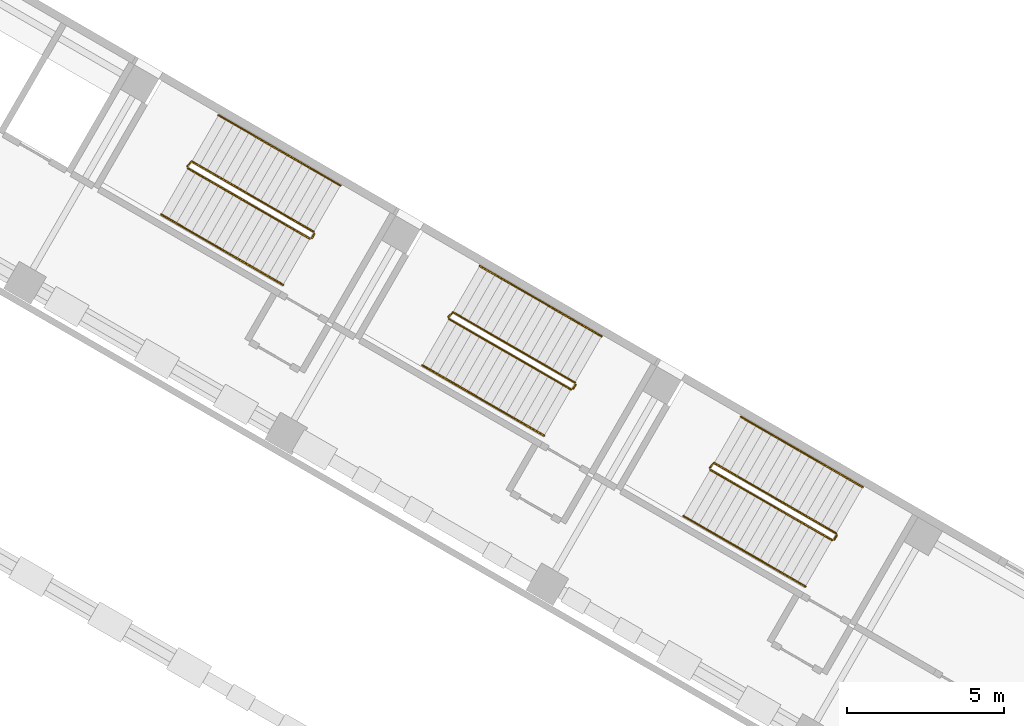
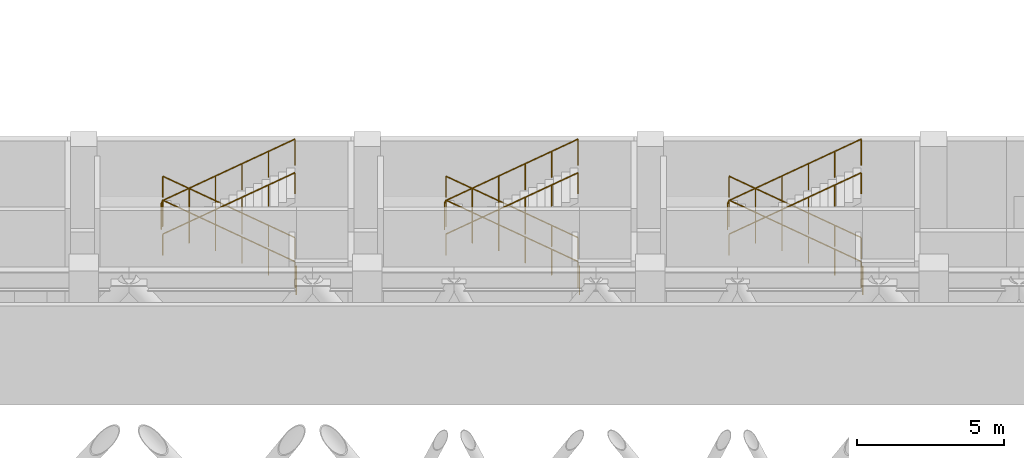
# One storey, part 35 of 37: 15 railings.
"""IFC4 building model written with IfcOpenShell, lengths in metres."""

import ifcopenshell
import ifcopenshell.guid

model = None  # the IFC model being written
_history = None  # IfcOwnerHistory: only IFC2X3 demands one
_inside = {}  # id of a spatial element -> (the spatial element, [elements in it])
_under = {}  # id of a project, library or spatial element -> (it, [spatial elements below it])
_declared = {}  # id of a project -> (the project, [libraries it declares])
_typed = {}  # id of a type object -> (the type object, [elements of that type])
_made_of = {}  # id of a material, layer set ... -> (it, [elements and type objects made of it])


def new_model(schema):
    """Start an empty IFC model of exactly this schema.

    Asked for "IFC4X3", IfcOpenShell would pick the latest addendum, in which some entities
    have other attributes; the version numbers below select the first issue.
    IFC2X3 requires an IfcOwnerHistory on every rooted entity: one is made here for all.
    """
    global model, _history
    if schema == "IFC4X3":
        model = ifcopenshell.file(schema_version=(4, 3, 0, 0))
    else:
        model = ifcopenshell.file(schema=schema)
    _inside.clear()
    _under.clear()
    _declared.clear()
    _typed.clear()
    _made_of.clear()
    _history = None
    if model.schema == "IFC2X3":
        org = make("IfcOrganization", Name="unknown")
        user = make(
            "IfcPersonAndOrganization",
            ThePerson=make("IfcPerson", FamilyName="unknown"),
            TheOrganization=org,
        )
        app = make(
            "IfcApplication",
            ApplicationDeveloper=org,
            Version="unknown",
            ApplicationFullName="unknown",
            ApplicationIdentifier="unknown",
        )
        _history = make(
            "IfcOwnerHistory",
            OwningUser=user,
            OwningApplication=app,
            ChangeAction="ADDED",
            CreationDate=0,
        )
    return model


def make(cls, **values):
    """One entity of the class cls with the attributes given. An attribute that is None is left unset."""
    return model.create_entity(
        cls, **{name: value for name, value in values.items() if value is not None}
    )


def rooted(cls, **values):
    """An entity with a GlobalId (a new one), such as an element, a storey or a relation."""
    return make(cls, GlobalId=ifcopenshell.guid.new(), OwnerHistory=_history, **values)


def si_unit(unit_type, name, prefix=None):
    """IfcSIUnit, for example si_unit("LENGTHUNIT", "METRE", prefix="MILLI")."""
    return make("IfcSIUnit", UnitType=unit_type, Prefix=prefix, Name=name)


def assignment(units):
    """IfcUnitAssignment: the units of a project."""
    return None if units is None else make("IfcUnitAssignment", Units=units)


def point(xyz):
    """IfcCartesianPoint."""
    return None if xyz is None else make("IfcCartesianPoint", Coordinates=xyz)


def direction(xyz):
    """IfcDirection."""
    return None if xyz is None else make("IfcDirection", DirectionRatios=xyz)


def frame(location, z_axis=None, x_axis=None):
    """IfcAxis2Placement3D, a coordinate frame: its origin and axes. An axis left out is left unset."""
    return make(
        "IfcAxis2Placement3D",
        Location=point(location),
        Axis=direction(z_axis),
        RefDirection=direction(x_axis),
    )


def frame_2d(location, x_axis=None):
    """IfcAxis2Placement2D, a coordinate frame in the plane: its origin and x axis."""
    return make(
        "IfcAxis2Placement2D", Location=point(location), RefDirection=direction(x_axis)
    )


def origin():
    """The frame at (0, 0, 0) with its axes left unset."""
    return frame((0.0, 0.0, 0.0))


def origin_2d():
    """The frame at (0, 0) in the plane with its x axis left unset."""
    return frame_2d((0.0, 0.0))


def place(relative_to, where):
    """IfcLocalPlacement: puts the frame where relative to a parent placement (None: the world)."""
    return make(
        "IfcLocalPlacement", PlacementRelTo=relative_to, RelativePlacement=where
    )


def context(
    kind, dimensions, precision=None, world=None, true_north=None, identifier=None
):
    """IfcGeometricRepresentationContext, for example the 3D "Model" context."""
    return make(
        "IfcGeometricRepresentationContext",
        ContextIdentifier=identifier,
        ContextType=kind,
        CoordinateSpaceDimension=dimensions,
        Precision=precision,
        WorldCoordinateSystem=world,
        TrueNorth=true_north,
    )


def subcontext(parent, identifier, kind, view, scale=None):
    """IfcGeometricRepresentationSubContext, for example "Body" below "Model"."""
    return make(
        "IfcGeometricRepresentationSubContext",
        ContextIdentifier=identifier,
        ContextType=kind,
        ParentContext=parent,
        TargetScale=scale,
        TargetView=view,
    )


def project(units=None, contexts=None):
    """IfcProject with its units and contexts."""
    return rooted(
        "IfcProject",
        Name="project",
        RepresentationContexts=contexts,
        UnitsInContext=assignment(units),
    )


def spatial(cls, under=None, at=None, **own):
    """A site, building, storey or space (cls), placed at a placement, below another one or the project."""
    s = rooted(cls, ObjectPlacement=at, **own)
    if under is not None:
        _under.setdefault(under.id(), (under, []))[1].append(s)
    return s


def profile(cls, at=None, kind="AREA", **sizes):
    """A parametric profile (cls). Its sizes go by their IFC names, for example OverallWidth=200.0."""
    return make(cls, ProfileType=kind, Position=at, **sizes)


def circle(**sizes):
    """IfcCircleProfileDef."""
    return profile("IfcCircleProfileDef", **sizes)


def extrude(swept, where, along, depth):
    """IfcExtrudedAreaSolid: the profile swept, set in the frame where, extruded along a direction by depth."""
    return make(
        "IfcExtrudedAreaSolid",
        SweptArea=swept,
        Position=where,
        ExtrudedDirection=direction(along),
        Depth=depth,
    )


def shape(context_of_items, identifier, shape_type, items):
    """IfcShapeRepresentation: the items that make up one representation, for example the "Body"."""
    return make(
        "IfcShapeRepresentation",
        ContextOfItems=context_of_items,
        RepresentationIdentifier=identifier,
        RepresentationType=shape_type,
        Items=items,
    )


def material(Name=None, Category=None):
    """IfcMaterial."""
    return make("IfcMaterial", Name=Name, Category=Category)


def made_of(thing, what):
    """Note that an element or type object is made of a material, layer set ...; save() writes the relation."""
    if what is not None:
        _made_of.setdefault(what.id(), (what, []))[1].append(thing)
    return thing


def type_object(cls, material=None, **own):
    """A type object (cls), such as IfcWallType, which elements share."""
    return made_of(rooted(cls, **own), material)


def element(
    cls,
    number,
    at=None,
    inside=None,
    cuts=None,
    type_object=None,
    material=None,
    context=None,
    identifier="Body",
    shape_type=None,
    held_by="IfcProductDefinitionShape",
    body=None,
    shapes=None,
    **own,
):
    """One element of the class cls, such as IfcWall. Its Tag is "e" and its number.

    at: its placement. inside: the storey or other place that contains it. cuts: it is an
    opening in that element (IfcRelVoidsElement). A single representation is given by context,
    identifier, shape_type and body (its items); several are given by shapes. held_by: the class
    of the entity that holds the representations. save() writes the other relations.
    """
    e = rooted(cls, Tag="e%d" % number, ObjectPlacement=at, **own)
    if body is not None:
        shapes = [shape(context, identifier, shape_type, body)]
    if shapes is not None:
        e.Representation = make(held_by, Representations=shapes)
    if inside is not None:
        _inside.setdefault(inside.id(), (inside, []))[1].append(e)
    if cuts is not None:
        rooted(
            "IfcRelVoidsElement", RelatingBuildingElement=cuts, RelatedOpeningElement=e
        )
    if type_object is not None:
        _typed.setdefault(type_object.id(), (type_object, []))[1].append(e)
    return made_of(e, material)


def aggregate(whole, parts):
    """IfcRelAggregates: a whole, such as a stair, and the parts it consists of."""
    return rooted("IfcRelAggregates", RelatingObject=whole, RelatedObjects=parts)


def save(model, path):
    """Write the relations noted so far, then the file.

    IfcRelAggregates (storeys below a building ...), IfcRelContainedInSpatialStructure (elements
    in a storey), IfcRelDefinesByType, IfcRelAssociatesMaterial and IfcRelDeclares: one each for
    every whole, place, type object, material and project.
    """
    for whole, parts in _under.values():
        aggregate(whole, parts)
    for where, things in _inside.values():
        rooted(
            "IfcRelContainedInSpatialStructure",
            RelatedElements=things,
            RelatingStructure=where,
        )
    for kind, things in _typed.values():
        rooted("IfcRelDefinesByType", RelatedObjects=things, RelatingType=kind)
    for what, things in _made_of.values():
        rooted("IfcRelAssociatesMaterial", RelatedObjects=things, RelatingMaterial=what)
    for by, libraries in _declared.values():
        rooted("IfcRelDeclares", RelatingContext=by, RelatedDefinitions=libraries)
    model.write(path)


model = new_model("IFC4")

# Units and contexts
model_context = context("Model", 3, precision=1e-05, world=origin(), true_north=direction((0.0, 1.0)))
body_context = subcontext(model_context, "Body", "Model", "MODEL_VIEW")
ifc_project = project(units=[si_unit("LENGTHUNIT", "METRE"), si_unit("AREAUNIT", "SQUARE_METRE"), si_unit("VOLUMEUNIT", "CUBIC_METRE"), si_unit("PLANEANGLEUNIT", "RADIAN"), si_unit("MASSUNIT", "GRAM", prefix="KILO")], contexts=[model_context])

# Site, building, storey
site_placement = place(None, origin())
site = spatial("IfcSite", under=ifc_project, at=site_placement, CompositionType="ELEMENT")
building_placement = place(site_placement, origin())
building = spatial("IfcBuilding", under=site, at=building_placement, Name="Mestral Congress Tower", CompositionType="ELEMENT")
storey_placement = place(building_placement, frame((0.0, 0.0, 16.199951171875)))
storey = spatial("IfcBuildingStorey", under=building, at=storey_placement, Name="L03", CompositionType="ELEMENT", Elevation=16.199951171875)

# Railings
ifc_material_1 = material(Name="Steel balustrade", Category="steel")
railing_type_1 = type_object("IfcRailingType", Name="Podium stair guard 1100", PredefinedType="GUARDRAIL", material=ifc_material_1)
railing_1_placement = place(storey_placement, frame((-13.889892578125, 51.89794921875, 0.158935546875)))
element("IfcRailing", 1, at=railing_1_placement, inside=storey, type_object=railing_type_1, Name="L03 PS-W1 stair guard 1", PredefinedType="GUARDRAIL", context=body_context, shape_type="SweptSolid", body=[
    extrude(circle(Radius=0.02392578125, at=origin_2d()), frame((0.0, 0.0, 1.076171875), z_axis=(-0.753299937478, 0.434906048726, 0.493351733531), x_axis=(-0.499989762656, -0.866031314237, 0.0)), (0.0, 0.0, 1.0), 5.150634765625),
    extrude(circle(Radius=0.02392578125, at=origin_2d()), frame((-3.8798828125, 2.239990234375, 3.6171875), z_axis=(-0.695164929852, -0.718850276695, 0.0), x_axis=(0.718850276695, -0.695164929852, 0.0)), (0.0, 0.0, 1.0), 0.2060546875),
    extrude(circle(Radius=0.02099609375, at=origin_2d()), origin(), (0.0, 0.0, 1.0), 1.052001953125),
    extrude(circle(Radius=0.02099609375, at=origin_2d()), frame((-0.77587890625, 0.447998046875, 0.50830078125)), (0.0, 0.0, 1.0), 1.052001953125),
    extrude(circle(Radius=0.02099609375, at=origin_2d()), frame((-1.552001953125, 0.89599609375, 1.016357421875)), (0.0, 0.0, 1.0), 1.052001953125),
    extrude(circle(Radius=0.02099609375, at=origin_2d()), frame((-2.327880859375, 1.343994140625, 1.524658203125)), (0.0, 0.0, 1.0), 1.052001953125),
    extrude(circle(Radius=0.02099609375, at=origin_2d()), frame((-3.10400390625, 1.7919921875, 2.03271484375)), (0.0, 0.0, 1.0), 1.052001953125),
    extrude(circle(Radius=0.02099609375, at=origin_2d()), frame((-3.8798828125, 2.239990234375, 2.541015625)), (0.0, 0.0, 1.0), 1.052001953125),
    extrude(circle(Radius=0.02099609375, at=origin_2d()), frame((-4.023193359375, 2.091796875, 2.541015625)), (0.0, 0.0, 1.0), 1.052001953125),
])
railing_2_placement = place(storey_placement, frame((-17.894775390625, 53.92138671875, 2.85888671875)))
element("IfcRailing", 2, at=railing_2_placement, inside=storey, type_object=railing_type_1, Name="L03 PS-W1 stair guard 2", PredefinedType="GUARDRAIL", context=body_context, shape_type="SweptSolid", body=[
    extrude(circle(Radius=0.02392578125, at=origin_2d()), frame((0.0, 0.0, 1.076171875), z_axis=(0.753282320979, -0.434895878114, 0.493387596216), x_axis=(0.499989762656, 0.866031314237, 0.0)), (0.0, 0.0, 1.0), 5.150634765625),
    extrude(circle(Radius=0.02099609375, at=origin_2d()), origin(), (0.0, 0.0, 1.0), 1.052001953125),
    extrude(circle(Radius=0.02099609375, at=origin_2d()), frame((0.77587890625, -0.447998046875, 0.50830078125)), (0.0, 0.0, 1.0), 1.052001953125),
    extrude(circle(Radius=0.02099609375, at=origin_2d()), frame((1.552001953125, -0.89599609375, 1.0166015625)), (0.0, 0.0, 1.0), 1.052001953125),
    extrude(circle(Radius=0.02099609375, at=origin_2d()), frame((2.327880859375, -1.343994140625, 1.524658203125)), (0.0, 0.0, 1.0), 1.052001953125),
    extrude(circle(Radius=0.02099609375, at=origin_2d()), frame((3.10400390625, -1.7919921875, 2.032958984375)), (0.0, 0.0, 1.0), 1.052001953125),
    extrude(circle(Radius=0.02099609375, at=origin_2d()), frame((3.8798828125, -2.239990234375, 2.541259765625)), (0.0, 0.0, 1.0), 1.052001953125),
])
railing_3_placement = place(storey_placement, frame((-13.87158203125, 51.82958984375, 0.0)))
element("IfcRailing", 3, at=railing_3_placement, inside=storey, type_object=railing_type_1, Name="L03 PS-W1 stair guard 3", PredefinedType="GUARDRAIL", context=body_context, shape_type="SweptSolid", body=[
    extrude(circle(Radius=0.02392578125, at=origin_2d()), frame((0.0, 0.0, 1.076171875), z_axis=(-0.499816412211, -0.866131372301, 0.0), x_axis=(0.866131372301, -0.499816412211, 0.0)), (0.0, 0.0, 1.0), 0.14990234375),
    extrude(circle(Radius=0.02099609375, at=origin_2d()), origin(), (0.0, 0.0, 1.0), 1.052001953125),
    extrude(circle(Radius=0.02099609375, at=origin_2d()), frame((-0.074951171875, -0.1298828125, 0.0)), (0.0, 0.0, 1.0), 1.052001953125),
])
railing_4_placement = place(storey_placement, frame((-22.203857421875, 56.697998046875, 0.158935546875)))
element("IfcRailing", 4, at=railing_4_placement, inside=storey, type_object=railing_type_1, Name="L03 PS-W2 stair guard 1", PredefinedType="GUARDRAIL", context=body_context, shape_type="SweptSolid", body=[
    extrude(circle(Radius=0.02392578125, at=origin_2d()), frame((0.0, 0.0, 1.076171875), z_axis=(-0.7532794335, 0.434921578401, 0.49336935019), x_axis=(-0.500013360201, -0.866017690131, 0.0)), (0.0, 0.0, 1.0), 5.150390625),
    extrude(circle(Radius=0.02392578125, at=origin_2d()), frame((-3.879638671875, 2.239990234375, 3.6171875), z_axis=(-0.695164929852, -0.718850276695, 0.0), x_axis=(0.718850276695, -0.695164929852, 0.0)), (0.0, 0.0, 1.0), 0.2060546875),
    extrude(circle(Radius=0.02099609375, at=origin_2d()), origin(), (0.0, 0.0, 1.0), 1.052001953125),
    extrude(circle(Radius=0.02099609375, at=origin_2d()), frame((-0.77587890625, 0.447998046875, 0.50830078125)), (0.0, 0.0, 1.0), 1.052001953125),
    extrude(circle(Radius=0.02099609375, at=origin_2d()), frame((-1.5517578125, 0.89599609375, 1.016357421875)), (0.0, 0.0, 1.0), 1.052001953125),
    extrude(circle(Radius=0.02099609375, at=origin_2d()), frame((-2.327880859375, 1.343994140625, 1.524658203125)), (0.0, 0.0, 1.0), 1.052001953125),
    extrude(circle(Radius=0.02099609375, at=origin_2d()), frame((-3.103759765625, 1.7919921875, 2.03271484375)), (0.0, 0.0, 1.0), 1.052001953125),
    extrude(circle(Radius=0.02099609375, at=origin_2d()), frame((-3.879638671875, 2.239990234375, 2.541015625)), (0.0, 0.0, 1.0), 1.052001953125),
    extrude(circle(Radius=0.02099609375, at=origin_2d()), frame((-4.02294921875, 2.091796875, 2.541015625)), (0.0, 0.0, 1.0), 1.052001953125),
])
railing_5_placement = place(storey_placement, frame((-26.20849609375, 58.721435546875, 2.85888671875)))
element("IfcRailing", 5, at=railing_5_placement, inside=storey, type_object=railing_type_1, Name="L03 PS-W2 stair guard 2", PredefinedType="GUARDRAIL", context=body_context, shape_type="SweptSolid", body=[
    extrude(circle(Radius=0.02392578125, at=origin_2d()), frame((0.0, 0.0, 1.076171875), z_axis=(0.753261816223, -0.434911406699, 0.493405213332), x_axis=(0.500013360201, 0.866017690131, 0.0)), (0.0, 0.0, 1.0), 5.150390625),
    extrude(circle(Radius=0.02099609375, at=origin_2d()), origin(), (0.0, 0.0, 1.0), 1.052001953125),
    extrude(circle(Radius=0.02099609375, at=origin_2d()), frame((0.77587890625, -0.447998046875, 0.50830078125)), (0.0, 0.0, 1.0), 1.052001953125),
    extrude(circle(Radius=0.02099609375, at=origin_2d()), frame((1.5517578125, -0.89599609375, 1.0166015625)), (0.0, 0.0, 1.0), 1.052001953125),
    extrude(circle(Radius=0.02099609375, at=origin_2d()), frame((2.327880859375, -1.343994140625, 1.524658203125)), (0.0, 0.0, 1.0), 1.052001953125),
    extrude(circle(Radius=0.02099609375, at=origin_2d()), frame((3.103759765625, -1.7919921875, 2.032958984375)), (0.0, 0.0, 1.0), 1.052001953125),
    extrude(circle(Radius=0.02099609375, at=origin_2d()), frame((3.879638671875, -2.239990234375, 2.541259765625)), (0.0, 0.0, 1.0), 1.052001953125),
])
railing_6_placement = place(storey_placement, frame((-22.185546875, 56.629638671875, 0.0)))
element("IfcRailing", 6, at=railing_6_placement, inside=storey, type_object=railing_type_1, Name="L03 PS-W2 stair guard 3", PredefinedType="GUARDRAIL", context=body_context, shape_type="SweptSolid", body=[
    extrude(circle(Radius=0.02392578125, at=origin_2d()), frame((0.0, 0.0, 1.076171875), z_axis=(-0.499816412211, -0.866131372301, 0.0), x_axis=(0.866131372301, -0.499816412211, 0.0)), (0.0, 0.0, 1.0), 0.14990234375),
    extrude(circle(Radius=0.02099609375, at=origin_2d()), origin(), (0.0, 0.0, 1.0), 1.052001953125),
    extrude(circle(Radius=0.02099609375, at=origin_2d()), frame((-0.074951171875, -0.1298828125, 0.0)), (0.0, 0.0, 1.0), 1.052001953125),
])
railing_7_placement = place(storey_placement, frame((-30.517578125, 61.498046875, 0.158935546875)))
element("IfcRailing", 7, at=railing_7_placement, inside=storey, type_object=railing_type_1, Name="L03 PS-W3 stair guard 1", PredefinedType="GUARDRAIL", context=body_context, shape_type="SweptSolid", body=[
    extrude(circle(Radius=0.02392578125, at=origin_2d()), frame((0.0, 0.0, 1.076171875), z_axis=(-0.753299937478, 0.434906048726, 0.493351733531), x_axis=(-0.499989762656, -0.866031314237, 0.0)), (0.0, 0.0, 1.0), 5.150634765625),
    extrude(circle(Radius=0.02392578125, at=origin_2d()), frame((-3.8798828125, 2.239990234375, 3.6171875), z_axis=(-0.694552208452, -0.71944230466, 0.0), x_axis=(0.71944230466, -0.694552208452, 0.0)), (0.0, 0.0, 1.0), 0.2060546875),
    extrude(circle(Radius=0.02099609375, at=origin_2d()), origin(), (0.0, 0.0, 1.0), 1.052001953125),
    extrude(circle(Radius=0.02099609375, at=origin_2d()), frame((-0.77587890625, 0.447998046875, 0.50830078125)), (0.0, 0.0, 1.0), 1.052001953125),
    extrude(circle(Radius=0.02099609375, at=origin_2d()), frame((-1.552001953125, 0.89599609375, 1.016357421875)), (0.0, 0.0, 1.0), 1.052001953125),
    extrude(circle(Radius=0.02099609375, at=origin_2d()), frame((-2.327880859375, 1.343994140625, 1.524658203125)), (0.0, 0.0, 1.0), 1.052001953125),
    extrude(circle(Radius=0.02099609375, at=origin_2d()), frame((-3.10400390625, 1.7919921875, 2.03271484375)), (0.0, 0.0, 1.0), 1.052001953125),
    extrude(circle(Radius=0.02099609375, at=origin_2d()), frame((-3.8798828125, 2.239990234375, 2.541015625)), (0.0, 0.0, 1.0), 1.052001953125),
    extrude(circle(Radius=0.02099609375, at=origin_2d()), frame((-4.02294921875, 2.091796875, 2.541015625)), (0.0, 0.0, 1.0), 1.052001953125),
])
railing_8_placement = place(storey_placement, frame((-34.5224609375, 63.521484375, 2.85888671875)))
element("IfcRailing", 8, at=railing_8_placement, inside=storey, type_object=railing_type_1, Name="L03 PS-W3 stair guard 2", PredefinedType="GUARDRAIL", context=body_context, shape_type="SweptSolid", body=[
    extrude(circle(Radius=0.02392578125, at=origin_2d()), frame((0.0, 0.0, 1.076171875), z_axis=(0.753282320979, -0.434895878114, 0.493387596216), x_axis=(0.499989762656, 0.866031314237, 0.0)), (0.0, 0.0, 1.0), 5.150634765625),
    extrude(circle(Radius=0.02099609375, at=origin_2d()), origin(), (0.0, 0.0, 1.0), 1.052001953125),
    extrude(circle(Radius=0.02099609375, at=origin_2d()), frame((0.77587890625, -0.447998046875, 0.50830078125)), (0.0, 0.0, 1.0), 1.052001953125),
    extrude(circle(Radius=0.02099609375, at=origin_2d()), frame((1.552001953125, -0.89599609375, 1.0166015625)), (0.0, 0.0, 1.0), 1.052001953125),
    extrude(circle(Radius=0.02099609375, at=origin_2d()), frame((2.327880859375, -1.343994140625, 1.524658203125)), (0.0, 0.0, 1.0), 1.052001953125),
    extrude(circle(Radius=0.02099609375, at=origin_2d()), frame((3.10400390625, -1.7919921875, 2.032958984375)), (0.0, 0.0, 1.0), 1.052001953125),
    extrude(circle(Radius=0.02099609375, at=origin_2d()), frame((3.8798828125, -2.239990234375, 2.541259765625)), (0.0, 0.0, 1.0), 1.052001953125),
])
railing_9_placement = place(storey_placement, frame((-30.499267578125, 61.4296875, 0.0)))
element("IfcRailing", 9, at=railing_9_placement, inside=storey, type_object=railing_type_1, Name="L03 PS-W3 stair guard 3", PredefinedType="GUARDRAIL", context=body_context, shape_type="SweptSolid", body=[
    extrude(circle(Radius=0.02392578125, at=origin_2d()), frame((0.0, 0.0, 1.076171875), z_axis=(-0.499816412211, -0.866131372301, 0.0), x_axis=(0.866131372301, -0.499816412211, 0.0)), (0.0, 0.0, 1.0), 0.14990234375),
    extrude(circle(Radius=0.02099609375, at=origin_2d()), origin(), (0.0, 0.0, 1.0), 1.052001953125),
    extrude(circle(Radius=0.02099609375, at=origin_2d()), frame((-0.074951171875, -0.1298828125, 0.0)), (0.0, 0.0, 1.0), 1.052001953125),
])
ifc_material_2 = material(Name="Steel handrail", Category="steel")
railing_type_2 = type_object("IfcRailingType", Name="Podium stair handrail 900", PredefinedType="HANDRAIL", material=ifc_material_2)
railing_10_placement = place(storey_placement, frame((-13.0400390625, 53.3701171875, 0.158935546875)))
element("IfcRailing", 10, at=railing_10_placement, inside=storey, type_object=railing_type_2, Name="L03 PS-W1 stair handrail 1", PredefinedType="HANDRAIL", context=body_context, shape_type="SweptSolid", body=[
    extrude(circle(Radius=0.02392578125, at=origin_2d()), frame((0.0, 0.0, 0.8759765625), z_axis=(-0.7532794335, 0.434921578401, 0.49336935019), x_axis=(-0.500013360201, -0.866017690131, 0.0)), (0.0, 0.0, 1.0), 5.150390625),
    extrude(circle(Radius=0.02099609375, at=origin_2d()), origin(), (0.0, 0.0, 1.0), 0.851806640625),
    extrude(circle(Radius=0.02099609375, at=origin_2d()), frame((-0.77587890625, 0.447998046875, 0.50830078125)), (0.0, 0.0, 1.0), 0.851806640625),
    extrude(circle(Radius=0.02099609375, at=origin_2d()), frame((-1.5517578125, 0.89599609375, 1.016357421875)), (0.0, 0.0, 1.0), 0.851806640625),
    extrude(circle(Radius=0.02099609375, at=origin_2d()), frame((-2.327880859375, 1.343994140625, 1.524658203125)), (0.0, 0.0, 1.0), 0.851806640625),
    extrude(circle(Radius=0.02099609375, at=origin_2d()), frame((-3.103759765625, 1.7919921875, 2.03271484375)), (0.0, 0.0, 1.0), 0.851806640625),
    extrude(circle(Radius=0.02099609375, at=origin_2d()), frame((-3.879638671875, 2.239990234375, 2.541015625)), (0.0, 0.0, 1.0), 0.851806640625),
])
railing_11_placement = place(storey_placement, frame((-18.74462890625, 52.44921875, 2.85888671875)))
element("IfcRailing", 11, at=railing_11_placement, inside=storey, type_object=railing_type_2, Name="L03 PS-W1 stair handrail 2", PredefinedType="HANDRAIL", context=body_context, shape_type="SweptSolid", body=[
    extrude(circle(Radius=0.02392578125, at=origin_2d()), frame((0.0, 0.0, 0.8759765625), z_axis=(0.753261816223, -0.434911406699, 0.493405213332), x_axis=(0.500013360201, 0.866017690131, 0.0)), (0.0, 0.0, 1.0), 5.150390625),
    extrude(circle(Radius=0.02099609375, at=origin_2d()), origin(), (0.0, 0.0, 1.0), 0.851806640625),
    extrude(circle(Radius=0.02099609375, at=origin_2d()), frame((0.77587890625, -0.447998046875, 0.50830078125)), (0.0, 0.0, 1.0), 0.851806640625),
    extrude(circle(Radius=0.02099609375, at=origin_2d()), frame((1.5517578125, -0.89599609375, 1.0166015625)), (0.0, 0.0, 1.0), 0.851806640625),
    extrude(circle(Radius=0.02099609375, at=origin_2d()), frame((2.327880859375, -1.343994140625, 1.524658203125)), (0.0, 0.0, 1.0), 0.851806640625),
    extrude(circle(Radius=0.02099609375, at=origin_2d()), frame((3.103759765625, -1.7919921875, 2.032958984375)), (0.0, 0.0, 1.0), 0.851806640625),
    extrude(circle(Radius=0.02099609375, at=origin_2d()), frame((3.879638671875, -2.239990234375, 2.541259765625)), (0.0, 0.0, 1.0), 0.851806640625),
])
railing_12_placement = place(storey_placement, frame((-21.353759765625, 58.170166015625, 0.158935546875)))
element("IfcRailing", 12, at=railing_12_placement, inside=storey, type_object=railing_type_2, Name="L03 PS-W2 stair handrail 1", PredefinedType="HANDRAIL", context=body_context, shape_type="SweptSolid", body=[
    extrude(circle(Radius=0.02392578125, at=origin_2d()), frame((0.0, 0.0, 0.8759765625), z_axis=(-0.753299937478, 0.434906048726, 0.493351733531), x_axis=(-0.499989762656, -0.866031314237, 0.0)), (0.0, 0.0, 1.0), 5.150634765625),
    extrude(circle(Radius=0.02099609375, at=origin_2d()), origin(), (0.0, 0.0, 1.0), 0.851806640625),
    extrude(circle(Radius=0.02099609375, at=origin_2d()), frame((-0.77587890625, 0.447998046875, 0.50830078125)), (0.0, 0.0, 1.0), 0.851806640625),
    extrude(circle(Radius=0.02099609375, at=origin_2d()), frame((-1.552001953125, 0.89599609375, 1.016357421875)), (0.0, 0.0, 1.0), 0.851806640625),
    extrude(circle(Radius=0.02099609375, at=origin_2d()), frame((-2.327880859375, 1.343994140625, 1.524658203125)), (0.0, 0.0, 1.0), 0.851806640625),
    extrude(circle(Radius=0.02099609375, at=origin_2d()), frame((-3.10400390625, 1.7919921875, 2.03271484375)), (0.0, 0.0, 1.0), 0.851806640625),
    extrude(circle(Radius=0.02099609375, at=origin_2d()), frame((-3.8798828125, 2.239990234375, 2.541015625)), (0.0, 0.0, 1.0), 0.851806640625),
])
railing_13_placement = place(storey_placement, frame((-27.05859375, 57.249267578125, 2.85888671875)))
element("IfcRailing", 13, at=railing_13_placement, inside=storey, type_object=railing_type_2, Name="L03 PS-W2 stair handrail 2", PredefinedType="HANDRAIL", context=body_context, shape_type="SweptSolid", body=[
    extrude(circle(Radius=0.02392578125, at=origin_2d()), frame((0.0, 0.0, 0.8759765625), z_axis=(0.753282320979, -0.434895878114, 0.493387596216), x_axis=(0.499989762656, 0.866031314237, 0.0)), (0.0, 0.0, 1.0), 5.150634765625),
    extrude(circle(Radius=0.02099609375, at=origin_2d()), origin(), (0.0, 0.0, 1.0), 0.851806640625),
    extrude(circle(Radius=0.02099609375, at=origin_2d()), frame((0.77587890625, -0.447998046875, 0.50830078125)), (0.0, 0.0, 1.0), 0.851806640625),
    extrude(circle(Radius=0.02099609375, at=origin_2d()), frame((1.552001953125, -0.89599609375, 1.0166015625)), (0.0, 0.0, 1.0), 0.851806640625),
    extrude(circle(Radius=0.02099609375, at=origin_2d()), frame((2.327880859375, -1.343994140625, 1.524658203125)), (0.0, 0.0, 1.0), 0.851806640625),
    extrude(circle(Radius=0.02099609375, at=origin_2d()), frame((3.10400390625, -1.7919921875, 2.032958984375)), (0.0, 0.0, 1.0), 0.851806640625),
    extrude(circle(Radius=0.02099609375, at=origin_2d()), frame((3.8798828125, -2.239990234375, 2.541259765625)), (0.0, 0.0, 1.0), 0.851806640625),
])
railing_14_placement = place(storey_placement, frame((-29.66748046875, 62.97021484375, 0.158935546875)))
element("IfcRailing", 14, at=railing_14_placement, inside=storey, type_object=railing_type_2, Name="L03 PS-W3 stair handrail 1", PredefinedType="HANDRAIL", context=body_context, shape_type="SweptSolid", body=[
    extrude(circle(Radius=0.02392578125, at=origin_2d()), frame((0.0, 0.0, 0.8759765625), z_axis=(-0.753299937478, 0.434906048726, 0.493351733531), x_axis=(-0.499989762656, -0.866031314237, 0.0)), (0.0, 0.0, 1.0), 5.150634765625),
    extrude(circle(Radius=0.02099609375, at=origin_2d()), origin(), (0.0, 0.0, 1.0), 0.851806640625),
    extrude(circle(Radius=0.02099609375, at=origin_2d()), frame((-0.77587890625, 0.447998046875, 0.50830078125)), (0.0, 0.0, 1.0), 0.851806640625),
    extrude(circle(Radius=0.02099609375, at=origin_2d()), frame((-1.552001953125, 0.89599609375, 1.016357421875)), (0.0, 0.0, 1.0), 0.851806640625),
    extrude(circle(Radius=0.02099609375, at=origin_2d()), frame((-2.327880859375, 1.343994140625, 1.524658203125)), (0.0, 0.0, 1.0), 0.851806640625),
    extrude(circle(Radius=0.02099609375, at=origin_2d()), frame((-3.10400390625, 1.7919921875, 2.03271484375)), (0.0, 0.0, 1.0), 0.851806640625),
    extrude(circle(Radius=0.02099609375, at=origin_2d()), frame((-3.8798828125, 2.239990234375, 2.541015625)), (0.0, 0.0, 1.0), 0.851806640625),
])
railing_15_placement = place(storey_placement, frame((-35.372314453125, 62.04931640625, 2.85888671875)))
element("IfcRailing", 15, at=railing_15_placement, inside=storey, type_object=railing_type_2, Name="L03 PS-W3 stair handrail 2", PredefinedType="HANDRAIL", context=body_context, shape_type="SweptSolid", body=[
    extrude(circle(Radius=0.02392578125, at=origin_2d()), frame((0.0, 0.0, 0.8759765625), z_axis=(0.753282320979, -0.434895878114, 0.493387596216), x_axis=(0.499989762656, 0.866031314237, 0.0)), (0.0, 0.0, 1.0), 5.150634765625),
    extrude(circle(Radius=0.02099609375, at=origin_2d()), origin(), (0.0, 0.0, 1.0), 0.851806640625),
    extrude(circle(Radius=0.02099609375, at=origin_2d()), frame((0.77587890625, -0.447998046875, 0.50830078125)), (0.0, 0.0, 1.0), 0.851806640625),
    extrude(circle(Radius=0.02099609375, at=origin_2d()), frame((1.552001953125, -0.89599609375, 1.0166015625)), (0.0, 0.0, 1.0), 0.851806640625),
    extrude(circle(Radius=0.02099609375, at=origin_2d()), frame((2.327880859375, -1.343994140625, 1.524658203125)), (0.0, 0.0, 1.0), 0.851806640625),
    extrude(circle(Radius=0.02099609375, at=origin_2d()), frame((3.10400390625, -1.7919921875, 2.032958984375)), (0.0, 0.0, 1.0), 0.851806640625),
    extrude(circle(Radius=0.02099609375, at=origin_2d()), frame((3.8798828125, -2.239990234375, 2.541259765625)), (0.0, 0.0, 1.0), 0.851806640625),
])

save(model, "model.ifc")
